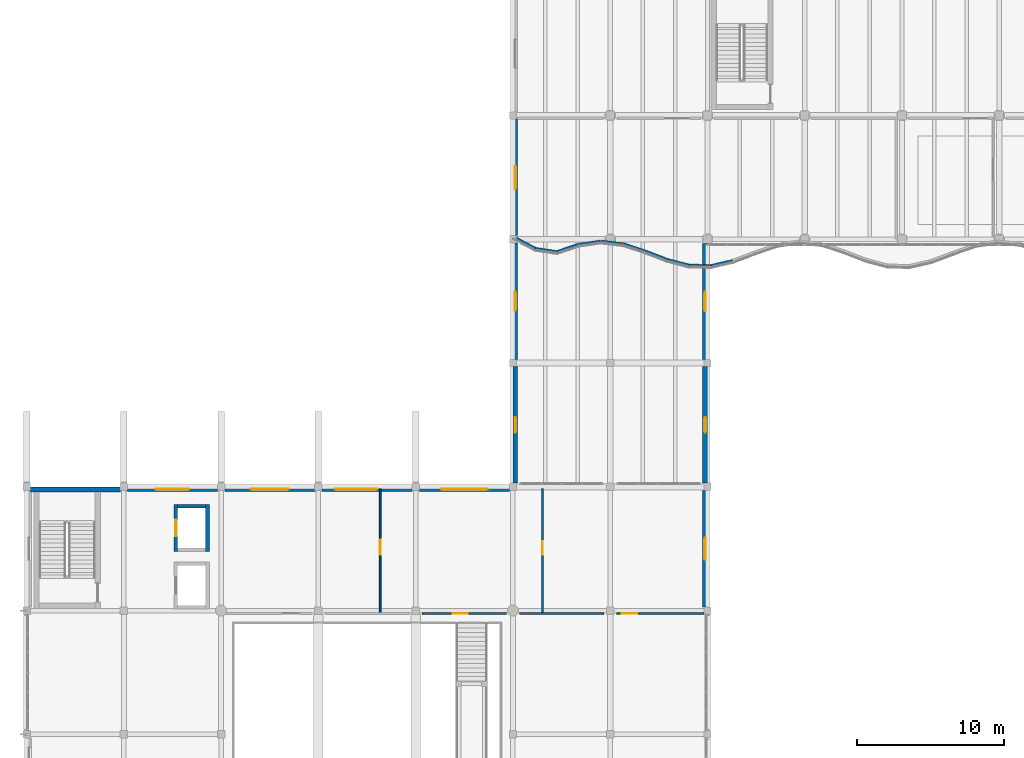
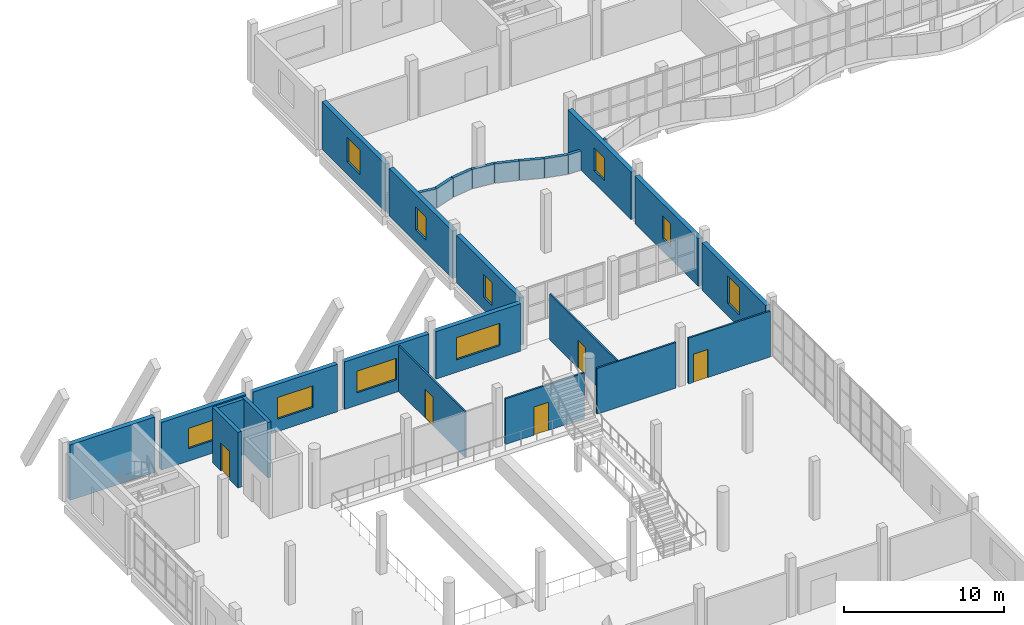
# One storey, part 47 of 76: 29 walls, 10 windows, 5 doors, 15 openings.
"""IFC4 building model written with IfcOpenShell, lengths in metres."""

from ifc_helpers import new_model, si_unit, direction, frame, frame_2d, origin, place, context, subcontext, project, spatial, rectangle, extrude, material, layer, layer_set, type_object, element, fill, save


model = new_model("IFC4")

# Units and contexts
model_context = context("Model", 3, precision=1e-05, world=origin(), true_north=direction((0.0, 1.0)))
body_context = subcontext(model_context, "Body", "Model", "MODEL_VIEW")
ifc_project = project(units=[si_unit("LENGTHUNIT", "METRE"), si_unit("AREAUNIT", "SQUARE_METRE"), si_unit("VOLUMEUNIT", "CUBIC_METRE"), si_unit("PLANEANGLEUNIT", "RADIAN"), si_unit("MASSUNIT", "GRAM", prefix="KILO")], contexts=[model_context])

# Site, building, storey
site_placement = place(None, origin())
site = spatial("IfcSite", under=ifc_project, at=site_placement, CompositionType="ELEMENT")
building_placement = place(site_placement, origin())
building = spatial("IfcBuilding", under=site, at=building_placement, Name="Qaldarim Faculty of Natural and Applied Sciences", CompositionType="ELEMENT")
storey_placement = place(building_placement, frame((0.0, 0.0, 9.89990234375)))
storey = spatial("IfcBuildingStorey", under=building, at=storey_placement, Name="L02", CompositionType="ELEMENT", Elevation=9.89990234375)

# Wall, opening, door
ifc_material_1 = material(Name="Painted gypsum partition board")
ifc_layer_1 = layer(ifc_material_1, 0.1201171875)
ifc_layer_set_1 = layer_set([ifc_layer_1], Name="Painted gypsum partition board")
wall_type_1 = type_object("IfcWallType", Name="AcousticPartition-120", PredefinedType="PARTITIONING", material=ifc_layer_set_1)
wall_1_placement = place(storey_placement, frame((26.85009765625, 75.39990234375, 0.0), z_axis=(0.0, 0.0, 1.0), x_axis=(1.0, 0.0, 0.0)))
wall_1 = element("IfcWall", 1, at=wall_1_placement, inside=storey, type_object=wall_type_1, Name="Interior partition PRT-L02-V2-FACS-S3", PredefinedType="PARTITIONING", context=body_context, shape_type="SweptSolid", body=[
    extrude(rectangle(XDim=5.699951171875, YDim=0.1201171875, at=frame_2d((2.85009765625, 0.0))), origin(), (0.0, 0.0, 1.0), 3.489990234375),
])
opening_1_placement = place(wall_1_placement, frame((2.050048828125, 0.0, 0.0)))
opening_1 = element("IfcOpeningElement", 2, at=opening_1_placement, cuts=wall_1, Name="Opening ID02", PredefinedType="OPENING", context=body_context, shape_type="SweptSolid", body=[
    extrude(rectangle(XDim=1.050048828125, YDim=2.14990234375, at=frame_2d((0.52490234375, 1.074951171875))), frame((0.0, 0.070068359375, 0.0), z_axis=(0.0, -1.0, 0.0), x_axis=(1.0, 0.0, 0.0)), (0.0, 0.0, 1.0), 0.14013671875),
])
ifc_material_2 = material(Name="Oak hardwood", Category="wood")
door_type_1 = type_object("IfcDoorType", Name="AccessibleRoomDoor-1050x2150", OperationType="NOTDEFINED", PredefinedType="DOOR", material=ifc_material_2)
door_1_placement = place(opening_1_placement, origin())
door_1 = element("IfcDoor", 3, at=door_1_placement, inside=storey, type_object=door_type_1, Name="Interior door D-L02-212", OperationType="SINGLE_SWING_RIGHT", OverallHeight=2.14990234375, OverallWidth=1.050048828125, PredefinedType="DOOR", context=body_context, shape_type="SweptSolid", body=[
    extrude(rectangle(XDim=1.050048828125, YDim=2.14990234375, at=frame_2d((0.52490234375, 1.074951171875))), frame((0.0, 0.02490234375, 0.0), z_axis=(0.0, -1.0, 0.0), x_axis=(1.0, 0.0, 0.0)), (0.0, 0.0, 1.0), 0.050048828125),
])
fill(opening_1, door_1)

# Wall
wall_2_placement = place(storey_placement, frame((33.449951171875, 75.39990234375, 0.0), z_axis=(0.0, 0.0, 1.0), x_axis=(1.0, 0.0, 0.0)))
element("IfcWall", 4, at=wall_2_placement, inside=storey, type_object=wall_type_1, Name="Interior partition PRT-L02-V2-FACS-S4", PredefinedType="PARTITIONING", context=body_context, shape_type="SweptSolid", body=[
    extrude(rectangle(XDim=5.699951171875, YDim=0.1201171875, at=frame_2d((2.85009765625, 0.0))), origin(), (0.0, 0.0, 1.0), 3.489990234375),
])

# Wall, opening, door
wall_3_placement = place(storey_placement, frame((40.050048828125, 75.39990234375, 0.0), z_axis=(0.0, 0.0, 1.0), x_axis=(1.0, 0.0, 0.0)))
wall_3 = element("IfcWall", 5, at=wall_3_placement, inside=storey, type_object=wall_type_1, Name="Interior partition PRT-L02-V2-FACS-S5", PredefinedType="PARTITIONING", context=body_context, shape_type="SweptSolid", body=[
    extrude(rectangle(XDim=5.89990234375, YDim=0.1201171875, at=frame_2d((2.949951171875, 0.0))), origin(), (0.0, 0.0, 1.0), 3.489990234375),
])
opening_2_placement = place(wall_3_placement, frame((0.35009765625, 0.0, 0.0)))
opening_2 = element("IfcOpeningElement", 6, at=opening_2_placement, cuts=wall_3, Name="Opening ID02", PredefinedType="OPENING", context=body_context, shape_type="SweptSolid", body=[
    extrude(rectangle(XDim=1.050048828125, YDim=2.14990234375, at=frame_2d((0.52490234375, 1.074951171875))), frame((0.0, 0.070068359375, 0.0), z_axis=(0.0, -1.0, 0.0), x_axis=(1.0, 0.0, 0.0)), (0.0, 0.0, 1.0), 0.14013671875),
])
door_2_placement = place(opening_2_placement, origin())
door_2 = element("IfcDoor", 7, at=door_2_placement, inside=storey, type_object=door_type_1, Name="Interior door D-L02-213", OperationType="SINGLE_SWING_LEFT", OverallHeight=2.14990234375, OverallWidth=1.050048828125, PredefinedType="DOOR", context=body_context, shape_type="SweptSolid", body=[
    extrude(rectangle(XDim=1.050048828125, YDim=2.14990234375, at=frame_2d((0.52490234375, 1.074951171875))), frame((0.0, 0.02490234375, 0.0), z_axis=(0.0, -1.0, 0.0), x_axis=(1.0, 0.0, 0.0)), (0.0, 0.0, 1.0), 0.050048828125),
])
fill(opening_2, door_2)

wall_4_placement = place(storey_placement, frame((24.0, 75.39990234375, 0.0), z_axis=(0.0, 0.0, 1.0), x_axis=(0.0, 1.0, 0.0)))
wall_4 = element("IfcWall", 8, at=wall_4_placement, inside=storey, type_object=wall_type_1, Name="Interior partition PRT-L02-V2-SEMDIV", PredefinedType="PARTITIONING", context=body_context, shape_type="SweptSolid", body=[
    extrude(rectangle(XDim=8.460205078125, YDim=0.1201171875, at=frame_2d((4.22998046875, 0.0))), origin(), (0.0, 0.0, 1.0), 3.489990234375),
])
opening_3_placement = place(wall_4_placement, frame((4.0, 0.0, 0.0)))
opening_3 = element("IfcOpeningElement", 9, at=opening_3_placement, cuts=wall_4, Name="Opening ID08", PredefinedType="OPENING", context=body_context, shape_type="SweptSolid", body=[
    extrude(rectangle(XDim=1.0, YDim=2.199951171875, at=frame_2d((0.5, 1.10009765625))), frame((0.0, 0.070068359375, 0.0), z_axis=(0.0, -1.0, 0.0), x_axis=(1.0, 0.0, 0.0)), (0.0, 0.0, 1.0), 0.14013671875),
])
door_type_2 = type_object("IfcDoorType", Name="SeminarRoomDoor-1000x2200", OperationType="NOTDEFINED", PredefinedType="DOOR", material=ifc_material_2)
door_3_placement = place(opening_3_placement, origin())
door_3 = element("IfcDoor", 10, at=door_3_placement, inside=storey, type_object=door_type_2, Name="Interior door D-L02-382", OperationType="SINGLE_SWING_LEFT", OverallHeight=2.199951171875, OverallWidth=1.0, PredefinedType="DOOR", context=body_context, shape_type="SweptSolid", body=[
    extrude(rectangle(XDim=1.0, YDim=2.199951171875, at=frame_2d((0.5, 1.10009765625))), frame((0.0, 0.02490234375, 0.0), z_axis=(0.0, -1.0, 0.0), x_axis=(1.0, 0.0, 0.0)), (0.0, 0.0, 1.0), 0.050048828125),
])
fill(opening_3, door_3)

wall_5_placement = place(storey_placement, frame((35.0, 75.39990234375, 0.0), z_axis=(0.0, 0.0, 1.0), x_axis=(0.0, 1.0, 0.0)))
wall_5 = element("IfcWall", 11, at=wall_5_placement, inside=storey, type_object=wall_type_1, Name="Interior partition PRT-L02-V2-SEMDIV2", PredefinedType="PARTITIONING", context=body_context, shape_type="SweptSolid", body=[
    extrude(rectangle(XDim=8.460205078125, YDim=0.1201171875, at=frame_2d((4.22998046875, 0.0))), origin(), (0.0, 0.0, 1.0), 3.489990234375),
])
opening_4_placement = place(wall_5_placement, frame((4.0, 0.0, 0.0)))
opening_4 = element("IfcOpeningElement", 12, at=opening_4_placement, cuts=wall_5, Name="Opening ID07", PredefinedType="OPENING", context=body_context, shape_type="SweptSolid", body=[
    extrude(rectangle(XDim=0.89990234375, YDim=2.10009765625, at=frame_2d((0.449951171875, 1.050048828125))), frame((0.0, 0.070068359375, 0.0), z_axis=(0.0, -1.0, 0.0), x_axis=(1.0, 0.0, 0.0)), (0.0, 0.0, 1.0), 0.14013671875),
])
door_type_3 = type_object("IfcDoorType", Name="OfficeStudyDoor-900x2100", OperationType="NOTDEFINED", PredefinedType="DOOR", material=ifc_material_2)
door_4_placement = place(opening_4_placement, origin())
door_4 = element("IfcDoor", 13, at=door_4_placement, inside=storey, type_object=door_type_3, Name="Interior door D-L02-383", OperationType="SINGLE_SWING_LEFT", OverallHeight=2.10009765625, OverallWidth=0.89990234375, PredefinedType="DOOR", context=body_context, shape_type="SweptSolid", body=[
    extrude(rectangle(XDim=0.89990234375, YDim=2.10009765625, at=frame_2d((0.449951171875, 1.050048828125))), frame((0.0, 0.02490234375, 0.0), z_axis=(0.0, -1.0, 0.0), x_axis=(1.0, 0.0, 0.0)), (0.0, 0.0, 1.0), 0.050048828125),
])
fill(opening_4, door_4)

# Wall, opening, window
ifc_material_3 = material(Name="Precast concrete C40/50", Category="concrete")
ifc_layer_2 = layer(ifc_material_3, 0.320068359375)
ifc_layer_set_2 = layer_set([ifc_layer_2], Name="Precast concrete C40/50")
wall_type_2 = type_object("IfcWallType", Name="ExteriorLimestoneWall-320", PredefinedType="SOLIDWALL", material=ifc_layer_set_2)
wall_6_placement = place(storey_placement, frame((12.955078125, 83.840087890625, 0.0), z_axis=(0.0, 0.0, 1.0), x_axis=(-1.0, 0.0, 0.0)))
wall_6 = element("IfcWall", 14, at=wall_6_placement, inside=storey, type_object=wall_type_2, Name="Exterior wall EW01 L02 N X02Y10", PredefinedType="SOLIDWALL", context=body_context, shape_type="SweptSolid", body=[
    extrude(rectangle(XDim=6.110107421875, YDim=0.320068359375, at=frame_2d((3.05517578125, 0.0))), origin(), (0.0, 0.0, 1.0), 3.625),
])
opening_5_placement = place(wall_6_placement, frame((1.929931640625, 0.0, 0.949951171875)))
opening_5 = element("IfcOpeningElement", 15, at=opening_5_placement, cuts=wall_6, Name="Opening WN12", PredefinedType="OPENING", context=body_context, shape_type="SweptSolid", body=[
    extrude(rectangle(XDim=2.25, YDim=1.550048828125, at=frame_2d((1.125, 0.77490234375))), frame((0.0, 0.169921875, 0.0), z_axis=(0.0, -1.0, 0.0), x_axis=(1.0, 0.0, 0.0)), (0.0, 0.0, 1.0), 0.340087890625),
])
ifc_material_4 = material(Name="Insulated low-e double glazing", Category="glass")
window_type_1 = type_object("IfcWindowType", Name="LabWindow-2250x1550", PartitioningType="TRIPLE_PANEL_VERTICAL", PredefinedType="WINDOW", material=ifc_material_4)
window_1_placement = place(opening_5_placement, origin())
window_1 = element("IfcWindow", 16, at=window_1_placement, inside=storey, type_object=window_type_1, Name="Facade window WN12 L02 N X02Y10", OverallHeight=1.550048828125, OverallWidth=2.25, PartitioningType="SINGLE_PANEL", PredefinedType="WINDOW", context=body_context, shape_type="SweptSolid", body=[
    extrude(rectangle(XDim=2.25, YDim=1.550048828125, at=frame_2d((1.125, 0.77490234375))), frame((0.0, 0.030029296875, 0.0), z_axis=(0.0, -1.0, 0.0), x_axis=(1.0, 0.0, 0.0)), (0.0, 0.0, 1.0), 0.06005859375),
])
fill(opening_5, window_1)

wall_7_placement = place(storey_placement, frame((19.554931640625, 83.840087890625, 0.0), z_axis=(0.0, 0.0, 1.0), x_axis=(-1.0, 0.0, 0.0)))
wall_7 = element("IfcWall", 17, at=wall_7_placement, inside=storey, type_object=wall_type_2, Name="Exterior wall EW01 L02 N X03Y10", PredefinedType="SOLIDWALL", context=body_context, shape_type="SweptSolid", body=[
    extrude(rectangle(XDim=6.10986328125, YDim=0.320068359375, at=frame_2d((3.054931640625, 0.0))), origin(), (0.0, 0.0, 1.0), 3.625),
])
opening_6_placement = place(wall_7_placement, frame((1.780029296875, 0.0, 0.949951171875)))
opening_6 = element("IfcOpeningElement", 18, at=opening_6_placement, cuts=wall_7, Name="Opening WN13", PredefinedType="OPENING", context=body_context, shape_type="SweptSolid", body=[
    extrude(rectangle(XDim=2.550048828125, YDim=1.64990234375, at=frame_2d((1.27490234375, 0.824951171875))), frame((0.0, 0.169921875, 0.0), z_axis=(0.0, -1.0, 0.0), x_axis=(1.0, 0.0, 0.0)), (0.0, 0.0, 1.0), 0.340087890625),
])
window_type_2 = type_object("IfcWindowType", Name="LabWindow-2550x1650", PartitioningType="TRIPLE_PANEL_VERTICAL", PredefinedType="WINDOW", material=ifc_material_4)
window_2_placement = place(opening_6_placement, origin())
window_2 = element("IfcWindow", 19, at=window_2_placement, inside=storey, type_object=window_type_2, Name="Facade window WN13 L02 N X03Y10", OverallHeight=1.64990234375, OverallWidth=2.550048828125, PartitioningType="SINGLE_PANEL", PredefinedType="WINDOW", context=body_context, shape_type="SweptSolid", body=[
    extrude(rectangle(XDim=2.550048828125, YDim=1.64990234375, at=frame_2d((1.27490234375, 0.824951171875))), frame((0.0, 0.030029296875, 0.0), z_axis=(0.0, -1.0, 0.0), x_axis=(1.0, 0.0, 0.0)), (0.0, 0.0, 1.0), 0.06005859375),
])
fill(opening_6, window_2)

wall_8_placement = place(storey_placement, frame((26.155029296875, 83.840087890625, 0.0), z_axis=(0.0, 0.0, 1.0), x_axis=(-1.0, 0.0, 0.0)))
wall_8 = element("IfcWall", 20, at=wall_8_placement, inside=storey, type_object=wall_type_2, Name="Exterior wall EW01 L02 N X04Y10", PredefinedType="SOLIDWALL", context=body_context, shape_type="SweptSolid", body=[
    extrude(rectangle(XDim=6.110107421875, YDim=0.320068359375, at=frame_2d((3.05517578125, 0.0))), origin(), (0.0, 0.0, 1.0), 3.625),
])
opening_7_placement = place(wall_8_placement, frame((2.375, 0.0, 0.949951171875)))
opening_7 = element("IfcOpeningElement", 21, at=opening_7_placement, cuts=wall_8, Name="Opening WN14", PredefinedType="OPENING", context=body_context, shape_type="SweptSolid", body=[
    extrude(rectangle(XDim=2.85009765625, YDim=1.64990234375, at=frame_2d((1.425048828125, 0.824951171875))), frame((0.0, 0.169921875, 0.0), z_axis=(0.0, -1.0, 0.0), x_axis=(1.0, 0.0, 0.0)), (0.0, 0.0, 1.0), 0.340087890625),
])
window_type_3 = type_object("IfcWindowType", Name="LabWindow-2850x1650", PartitioningType="TRIPLE_PANEL_VERTICAL", PredefinedType="WINDOW", material=ifc_material_4)
window_3_placement = place(opening_7_placement, origin())
window_3 = element("IfcWindow", 22, at=window_3_placement, inside=storey, type_object=window_type_3, Name="Facade window WN14 L02 N X04Y10", OverallHeight=1.64990234375, OverallWidth=2.85009765625, PartitioningType="SINGLE_PANEL", PredefinedType="WINDOW", context=body_context, shape_type="SweptSolid", body=[
    extrude(rectangle(XDim=2.85009765625, YDim=1.64990234375, at=frame_2d((1.425048828125, 0.824951171875))), frame((0.0, 0.030029296875, 0.0), z_axis=(0.0, -1.0, 0.0), x_axis=(1.0, 0.0, 0.0)), (0.0, 0.0, 1.0), 0.06005859375),
])
fill(opening_7, window_3)

wall_9_placement = place(storey_placement, frame((32.7548828125, 83.840087890625, 0.0), z_axis=(0.0, 0.0, 1.0), x_axis=(-1.0, 0.0, 0.0)))
wall_9 = element("IfcWall", 23, at=wall_9_placement, inside=storey, type_object=wall_type_2, Name="Exterior wall EW01 L02 N X05Y10", PredefinedType="SOLIDWALL", context=body_context, shape_type="SweptSolid", body=[
    extrude(rectangle(XDim=6.10986328125, YDim=0.320068359375, at=frame_2d((3.054931640625, 0.0))), origin(), (0.0, 0.0, 1.0), 3.625),
])
opening_8_placement = place(wall_9_placement, frame((1.47998046875, 0.0, 0.949951171875)))
opening_8 = element("IfcOpeningElement", 24, at=opening_8_placement, cuts=wall_9, Name="Opening WN15", PredefinedType="OPENING", context=body_context, shape_type="SweptSolid", body=[
    extrude(rectangle(XDim=3.14990234375, YDim=1.699951171875, at=frame_2d((1.574951171875, 0.85009765625))), frame((0.0, 0.169921875, 0.0), z_axis=(0.0, -1.0, 0.0), x_axis=(1.0, 0.0, 0.0)), (0.0, 0.0, 1.0), 0.340087890625),
])
window_type_4 = type_object("IfcWindowType", Name="LabWindow-3150x1700", PartitioningType="TRIPLE_PANEL_VERTICAL", PredefinedType="WINDOW", material=ifc_material_4)
window_4_placement = place(opening_8_placement, origin())
window_4 = element("IfcWindow", 25, at=window_4_placement, inside=storey, type_object=window_type_4, Name="Facade window WN15 L02 N X05Y10", OverallHeight=1.699951171875, OverallWidth=3.14990234375, PartitioningType="SINGLE_PANEL", PredefinedType="WINDOW", context=body_context, shape_type="SweptSolid", body=[
    extrude(rectangle(XDim=3.14990234375, YDim=1.699951171875, at=frame_2d((1.574951171875, 0.85009765625))), frame((0.0, 0.030029296875, 0.0), z_axis=(0.0, -1.0, 0.0), x_axis=(1.0, 0.0, 0.0)), (0.0, 0.0, 1.0), 0.06005859375),
])
fill(opening_8, window_4)

wall_10_placement = place(storey_placement, frame((33.159912109375, 92.155029296875, 0.0), z_axis=(0.0, 0.0, 1.0), x_axis=(0.0, -1.0, 0.0)))
wall_10 = element("IfcWall", 26, at=wall_10_placement, inside=storey, type_object=wall_type_2, Name="Exterior wall EW01 L02 W X06Y11", PredefinedType="SOLIDWALL", context=body_context, shape_type="SweptSolid", body=[
    extrude(rectangle(XDim=7.909912109375, YDim=0.320068359375, at=frame_2d((3.955078125, 0.0))), origin(), (0.0, 0.0, 1.0), 3.625),
])
opening_9_placement = place(wall_10_placement, frame((3.429931640625, 0.0, 0.949951171875)))
opening_9 = element("IfcOpeningElement", 27, at=opening_9_placement, cuts=wall_10, Name="Opening WN17", PredefinedType="OPENING", context=body_context, shape_type="SweptSolid", body=[
    extrude(rectangle(XDim=1.050048828125, YDim=1.75, at=frame_2d((0.52490234375, 0.875))), frame((0.0, 0.169921875, 0.0), z_axis=(0.0, -1.0, 0.0), x_axis=(1.0, 0.0, 0.0)), (0.0, 0.0, 1.0), 0.340087890625),
])
window_type_5 = type_object("IfcWindowType", Name="StudyWindow-1050x1750", PartitioningType="SINGLE_PANEL", PredefinedType="WINDOW", material=ifc_material_4)
window_5_placement = place(opening_9_placement, origin())
window_5 = element("IfcWindow", 28, at=window_5_placement, inside=storey, type_object=window_type_5, Name="Facade window WN17 L02 W X06Y11", OverallHeight=1.75, OverallWidth=1.050048828125, PartitioningType="SINGLE_PANEL", PredefinedType="WINDOW", context=body_context, shape_type="SweptSolid", body=[
    extrude(rectangle(XDim=1.050048828125, YDim=1.75, at=frame_2d((0.52490234375, 0.875))), frame((0.0, 0.030029296875, 0.0), z_axis=(0.0, -1.0, 0.0), x_axis=(1.0, 0.0, 0.0)), (0.0, 0.0, 1.0), 0.06005859375),
])
fill(opening_9, window_5)

wall_11_placement = place(storey_placement, frame((33.159912109375, 100.554931640625, 0.0), z_axis=(0.0, 0.0, 1.0), x_axis=(0.0, -1.0, 0.0)))
wall_11 = element("IfcWall", 29, at=wall_11_placement, inside=storey, type_object=wall_type_2, Name="Exterior wall EW01 L02 W X06Y12", PredefinedType="SOLIDWALL", context=body_context, shape_type="SweptSolid", body=[
    extrude(rectangle(XDim=7.909912109375, YDim=0.320068359375, at=frame_2d((3.955078125, 0.0))), origin(), (0.0, 0.0, 1.0), 3.625),
])
opening_10_placement = place(wall_11_placement, frame((3.304931640625, 0.0, 0.949951171875)))
opening_10 = element("IfcOpeningElement", 30, at=opening_10_placement, cuts=wall_11, Name="Opening WN18", PredefinedType="OPENING", context=body_context, shape_type="SweptSolid", body=[
    extrude(rectangle(XDim=1.300048828125, YDim=1.75, at=frame_2d((0.64990234375, 0.875))), frame((0.0, 0.169921875, 0.0), z_axis=(0.0, -1.0, 0.0), x_axis=(1.0, 0.0, 0.0)), (0.0, 0.0, 1.0), 0.340087890625),
])
window_type_6 = type_object("IfcWindowType", Name="StudyWindow-1300x1750", PartitioningType="SINGLE_PANEL", PredefinedType="WINDOW", material=ifc_material_4)
window_6_placement = place(opening_10_placement, origin())
window_6 = element("IfcWindow", 31, at=window_6_placement, inside=storey, type_object=window_type_6, Name="Facade window WN18 L02 W X06Y12", OverallHeight=1.75, OverallWidth=1.300048828125, PartitioningType="SINGLE_PANEL", PredefinedType="WINDOW", context=body_context, shape_type="SweptSolid", body=[
    extrude(rectangle(XDim=1.300048828125, YDim=1.75, at=frame_2d((0.64990234375, 0.875))), frame((0.0, 0.030029296875, 0.0), z_axis=(0.0, -1.0, 0.0), x_axis=(1.0, 0.0, 0.0)), (0.0, 0.0, 1.0), 0.06005859375),
])
fill(opening_10, window_6)

wall_12_placement = place(storey_placement, frame((33.159912109375, 108.955078125, 0.0), z_axis=(0.0, 0.0, 1.0), x_axis=(0.0, -1.0, 0.0)))
wall_12 = element("IfcWall", 32, at=wall_12_placement, inside=storey, type_object=wall_type_2, Name="Exterior wall EW01 L02 W X06Y13", PredefinedType="SOLIDWALL", context=body_context, shape_type="SweptSolid", body=[
    extrude(rectangle(XDim=7.91015625, YDim=0.320068359375, at=frame_2d((3.955078125, 0.0))), origin(), (0.0, 0.0, 1.0), 3.625),
])
opening_11_placement = place(wall_12_placement, frame((3.155029296875, 0.0, 0.949951171875)))
opening_11 = element("IfcOpeningElement", 33, at=opening_11_placement, cuts=wall_12, Name="Opening WN19", PredefinedType="OPENING", context=body_context, shape_type="SweptSolid", body=[
    extrude(rectangle(XDim=1.60009765625, YDim=1.85009765625, at=frame_2d((0.800048828125, 0.925048828125))), frame((0.0, 0.169921875, 0.0), z_axis=(0.0, -1.0, 0.0), x_axis=(1.0, 0.0, 0.0)), (0.0, 0.0, 1.0), 0.340087890625),
])
window_type_7 = type_object("IfcWindowType", Name="StudyWindow-1600x1850", PartitioningType="DOUBLE_PANEL_VERTICAL", PredefinedType="WINDOW", material=ifc_material_4)
window_7_placement = place(opening_11_placement, origin())
window_7 = element("IfcWindow", 34, at=window_7_placement, inside=storey, type_object=window_type_7, Name="Facade window WN19 L02 W X06Y13", OverallHeight=1.85009765625, OverallWidth=1.60009765625, PartitioningType="SINGLE_PANEL", PredefinedType="WINDOW", context=body_context, shape_type="SweptSolid", body=[
    extrude(rectangle(XDim=1.60009765625, YDim=1.85009765625, at=frame_2d((0.800048828125, 0.925048828125))), frame((0.0, 0.030029296875, 0.0), z_axis=(0.0, -1.0, 0.0), x_axis=(1.0, 0.0, 0.0)), (0.0, 0.0, 1.0), 0.06005859375),
])
fill(opening_11, window_7)

wall_13_placement = place(storey_placement, frame((46.0400390625, 75.844970703125, 0.0), z_axis=(0.0, 0.0, 1.0), x_axis=(0.0, 1.0, 0.0)))
wall_13 = element("IfcWall", 35, at=wall_13_placement, inside=storey, type_object=wall_type_2, Name="Exterior wall EW01 L02 E X07Y10", PredefinedType="SOLIDWALL", context=body_context, shape_type="SweptSolid", body=[
    extrude(rectangle(XDim=7.909912109375, YDim=0.320068359375, at=frame_2d((3.955078125, 0.0))), origin(), (0.0, 0.0, 1.0), 3.625),
])
opening_12_placement = place(wall_13_placement, frame((3.205078125, 0.0, 0.949951171875)))
opening_12 = element("IfcOpeningElement", 36, at=opening_12_placement, cuts=wall_13, Name="Opening WN06", PredefinedType="OPENING", context=body_context, shape_type="SweptSolid", body=[
    extrude(rectangle(XDim=1.5, YDim=2.10009765625, at=frame_2d((0.75, 1.050048828125))), frame((0.0, 0.169921875, 0.0), z_axis=(0.0, -1.0, 0.0), x_axis=(1.0, 0.0, 0.0)), (0.0, 0.0, 1.0), 0.340087890625),
])
window_type_8 = type_object("IfcWindowType", Name="Window-1500x2100", PartitioningType="DOUBLE_PANEL_VERTICAL", PredefinedType="WINDOW", material=ifc_material_4)
window_8_placement = place(opening_12_placement, origin())
window_8 = element("IfcWindow", 37, at=window_8_placement, inside=storey, type_object=window_type_8, Name="Facade window WN06 L02 E X07Y10", OverallHeight=2.10009765625, OverallWidth=1.5, PartitioningType="SINGLE_PANEL", PredefinedType="WINDOW", context=body_context, shape_type="SweptSolid", body=[
    extrude(rectangle(XDim=1.5, YDim=2.10009765625, at=frame_2d((0.75, 1.050048828125))), frame((0.0, 0.030029296875, 0.0), z_axis=(0.0, -1.0, 0.0), x_axis=(1.0, 0.0, 0.0)), (0.0, 0.0, 1.0), 0.06005859375),
])
fill(opening_12, window_8)

wall_14_placement = place(storey_placement, frame((46.0400390625, 84.2451171875, 0.0), z_axis=(0.0, 0.0, 1.0), x_axis=(0.0, 1.0, 0.0)))
wall_14 = element("IfcWall", 38, at=wall_14_placement, inside=storey, type_object=wall_type_2, Name="Exterior wall EW01 L02 E X07Y11", PredefinedType="SOLIDWALL", context=body_context, shape_type="SweptSolid", body=[
    extrude(rectangle(XDim=7.909912109375, YDim=0.320068359375, at=frame_2d((3.955078125, 0.0))), origin(), (0.0, 0.0, 1.0), 3.625),
])
opening_13_placement = place(wall_14_placement, frame((3.429931640625, 0.0, 0.949951171875)))
opening_13 = element("IfcOpeningElement", 39, at=opening_13_placement, cuts=wall_14, Name="Opening WN17", PredefinedType="OPENING", context=body_context, shape_type="SweptSolid", body=[
    extrude(rectangle(XDim=1.050048828125, YDim=1.75, at=frame_2d((0.52490234375, 0.875))), frame((0.0, 0.169921875, 0.0), z_axis=(0.0, -1.0, 0.0), x_axis=(1.0, 0.0, 0.0)), (0.0, 0.0, 1.0), 0.340087890625),
])
window_9_placement = place(opening_13_placement, origin())
window_9 = element("IfcWindow", 40, at=window_9_placement, inside=storey, type_object=window_type_5, Name="Facade window WN17 L02 E X07Y11", OverallHeight=1.75, OverallWidth=1.050048828125, PartitioningType="SINGLE_PANEL", PredefinedType="WINDOW", context=body_context, shape_type="SweptSolid", body=[
    extrude(rectangle(XDim=1.050048828125, YDim=1.75, at=frame_2d((0.52490234375, 0.875))), frame((0.0, 0.030029296875, 0.0), z_axis=(0.0, -1.0, 0.0), x_axis=(1.0, 0.0, 0.0)), (0.0, 0.0, 1.0), 0.06005859375),
])
fill(opening_13, window_9)

wall_15_placement = place(storey_placement, frame((46.0400390625, 92.64501953125, 0.0), z_axis=(0.0, 0.0, 1.0), x_axis=(0.0, 1.0, 0.0)))
wall_15 = element("IfcWall", 41, at=wall_15_placement, inside=storey, type_object=wall_type_2, Name="Exterior wall EW01 L02 E X07Y12", PredefinedType="SOLIDWALL", context=body_context, shape_type="SweptSolid", body=[
    extrude(rectangle(XDim=7.85986328125, YDim=0.320068359375, at=frame_2d((3.929931640625, 0.0))), origin(), (0.0, 0.0, 1.0), 3.625),
])
opening_14_placement = place(wall_15_placement, frame((3.280029296875, 0.0, 0.949951171875)))
opening_14 = element("IfcOpeningElement", 42, at=opening_14_placement, cuts=wall_15, Name="Opening WN18", PredefinedType="OPENING", context=body_context, shape_type="SweptSolid", body=[
    extrude(rectangle(XDim=1.300048828125, YDim=1.75, at=frame_2d((0.64990234375, 0.875))), frame((0.0, 0.169921875, 0.0), z_axis=(0.0, -1.0, 0.0), x_axis=(1.0, 0.0, 0.0)), (0.0, 0.0, 1.0), 0.340087890625),
])
window_10_placement = place(opening_14_placement, origin())
window_10 = element("IfcWindow", 43, at=window_10_placement, inside=storey, type_object=window_type_6, Name="Facade window WN18 L02 E X07Y12", OverallHeight=1.75, OverallWidth=1.300048828125, PartitioningType="SINGLE_PANEL", PredefinedType="WINDOW", context=body_context, shape_type="SweptSolid", body=[
    extrude(rectangle(XDim=1.300048828125, YDim=1.75, at=frame_2d((0.64990234375, 0.875))), frame((0.0, 0.030029296875, 0.0), z_axis=(0.0, -1.0, 0.0), x_axis=(1.0, 0.0, 0.0)), (0.0, 0.0, 1.0), 0.06005859375),
])
fill(opening_14, window_10)

# Wall
ifc_material_5 = material(Name="Concrete C50/60", Category="concrete")
ifc_layer_3 = layer(ifc_material_5, 0.340087890625)
ifc_layer_set_3 = layer_set([ifc_layer_3], Name="Concrete C50/60")
wall_type_3 = type_object("IfcWallType", Name="ExteriorStairShearWall-340", PredefinedType="SHEAR", material=ifc_layer_set_3)
wall_16_placement = place(storey_placement, frame((6.35498046875, 83.830078125, 0.0), z_axis=(0.0, 0.0, 1.0), x_axis=(-1.0, 0.0, 0.0)))
element("IfcWall", 44, at=wall_16_placement, inside=storey, type_object=wall_type_3, Name="Exterior wall EW05 L02 N X01Y10", PredefinedType="SHEAR", context=body_context, shape_type="SweptSolid", body=[
    extrude(rectangle(XDim=6.10986328125, YDim=0.340087890625, at=frame_2d((3.054931640625, 0.0))), origin(), (0.0, 0.0, 1.0), 4.239990234375),
])

# Wall, opening, door
ifc_material_6 = material(Name="Concrete C40/50", Category="concrete")
ifc_layer_4 = layer(ifc_material_6, 0.25)
ifc_layer_set_4 = layer_set([ifc_layer_4], Name="Concrete C40/50")
wall_type_4 = type_object("IfcWallType", Name="LiftShaftWall-250", PredefinedType="SHEAR", material=ifc_layer_set_4)
wall_17_placement = place(storey_placement, frame((10.125, 79.60009765625, 0.0), z_axis=(0.0, 0.0, 1.0), x_axis=(0.0, 1.0, 0.0)))
wall_17 = element("IfcWall", 45, at=wall_17_placement, inside=storey, type_object=wall_type_4, Name="Lift LF-D2 front shaft wall L02", PredefinedType="SHEAR", context=body_context, shape_type="SweptSolid", body=[
    extrude(rectangle(XDim=3.199951171875, YDim=0.25, at=frame_2d((1.60009765625, 0.0))), origin(), (0.0, 0.0, 1.0), 4.239990234375),
])
opening_15_placement = place(wall_17_placement, frame((1.050048828125, 0.0, 0.0)))
opening_15 = element("IfcOpeningElement", 46, at=opening_15_placement, cuts=wall_17, Name="Opening LD01", PredefinedType="OPENING", context=body_context, shape_type="SweptSolid", body=[
    extrude(rectangle(XDim=1.10009765625, YDim=2.14990234375, at=frame_2d((0.550048828125, 1.074951171875))), frame((0.0, 0.135009765625, 0.0), z_axis=(0.0, -1.0, 0.0), x_axis=(1.0, 0.0, 0.0)), (0.0, 0.0, 1.0), 0.27001953125),
])
ifc_material_7 = material(Name="Architectural stainless steel 316", Category="steel")
door_type_4 = type_object("IfcDoorType", Name="LiftLandingSlidingDoor-1100x2150", OperationType="NOTDEFINED", PredefinedType="DOOR", material=ifc_material_7)
door_5_placement = place(opening_15_placement, origin())
door_5 = element("IfcDoor", 47, at=door_5_placement, inside=storey, type_object=door_type_4, Name="Lift landing sliding door LF-D2 D-L02-670", OperationType="SLIDING_TO_LEFT", OverallHeight=2.14990234375, OverallWidth=1.10009765625, PredefinedType="DOOR", context=body_context, shape_type="SweptSolid", body=[
    extrude(rectangle(XDim=1.10009765625, YDim=2.14990234375, at=frame_2d((0.550048828125, 1.074951171875))), frame((0.0, 0.02490234375, 0.0), z_axis=(0.0, -1.0, 0.0), x_axis=(1.0, 0.0, 0.0)), (0.0, 0.0, 1.0), 0.050048828125),
])
fill(opening_15, door_5)

# Walls
wall_18_placement = place(storey_placement, frame((12.27490234375, 79.60009765625, 0.0), z_axis=(0.0, 0.0, 1.0), x_axis=(0.0, 1.0, 0.0)))
element("IfcWall", 48, at=wall_18_placement, inside=storey, type_object=wall_type_4, Name="Lift LF-D2 rear shaft wall L02", PredefinedType="SHEAR", context=body_context, shape_type="SweptSolid", body=[
    extrude(rectangle(XDim=3.199951171875, YDim=0.25, at=frame_2d((1.60009765625, 0.0))), origin(), (0.0, 0.0, 1.0), 4.239990234375),
])
wall_19_placement = place(storey_placement, frame((10.25, 82.675048828125, 0.0), z_axis=(0.0, 0.0, 1.0), x_axis=(1.0, 0.0, 0.0)))
element("IfcWall", 49, at=wall_19_placement, inside=storey, type_object=wall_type_4, Name="Lift LF-D2 north shaft wall L02", PredefinedType="SHEAR", context=body_context, shape_type="SweptSolid", body=[
    extrude(rectangle(XDim=1.89990234375, YDim=0.25, at=frame_2d((0.949951171875, 0.0))), origin(), (0.0, 0.0, 1.0), 4.239990234375),
])
ifc_material_8 = material(Name="White architectural precast concrete C40/50", Category="concrete")
ifc_layer_5 = layer(ifc_material_8, 0.219970703125)
ifc_layer_set_5 = layer_set([ifc_layer_5], Name="White architectural precast concrete C40/50")
wall_type_5 = type_object("IfcWallType", Name="WhitePrecastWaveBand-220", PredefinedType="SOLIDWALL", material=ifc_layer_set_5)
wall_20_placement = place(storey_placement, frame((33.06494140625, 100.925048828125, 0.0), z_axis=(0.0, 0.0, 1.0), x_axis=(0.882899095401, -0.469562761875, 0.0)))
element("IfcWall", 50, at=wall_20_placement, inside=storey, type_object=wall_type_5, Name="White precast wave spandrel band L02 chord 01", PredefinedType="SOLIDWALL", context=body_context, shape_type="SweptSolid", body=[
    extrude(rectangle(XDim=1.693359375, YDim=0.219970703125, at=frame_2d((0.8466796875, 0.0))), origin(), (0.0, 0.0, 1.0), 1.4501953125),
])
wall_21_placement = place(storey_placement, frame((34.514892578125, 100.14501953125, 0.0), z_axis=(0.0, 0.0, 1.0), x_axis=(0.988855668417, -0.148877355696, 0.0)))
element("IfcWall", 51, at=wall_21_placement, inside=storey, type_object=wall_type_5, Name="White precast wave spandrel band L02 chord 02", PredefinedType="SOLIDWALL", context=body_context, shape_type="SweptSolid", body=[
    extrude(rectangle(XDim=1.511962890625, YDim=0.219970703125, at=frame_2d((0.755859375, 0.0))), origin(), (0.0, 0.0, 1.0), 1.4501953125),
])
wall_22_placement = place(storey_placement, frame((35.945068359375, 99.9150390625, 0.0), z_axis=(0.0, 0.0, 1.0), x_axis=(0.947422519731, 0.319985263891, 0.0)))
element("IfcWall", 52, at=wall_22_placement, inside=storey, type_object=wall_type_5, Name="White precast wave spandrel band L02 chord 03", PredefinedType="SOLIDWALL", context=body_context, shape_type="SweptSolid", body=[
    extrude(rectangle(XDim=1.577880859375, YDim=0.219970703125, at=frame_2d((0.7890625, 0.0))), origin(), (0.0, 0.0, 1.0), 1.4501953125),
])
wall_23_placement = place(storey_placement, frame((37.465087890625, 100.425048828125, 0.0), z_axis=(0.0, 0.0, 1.0), x_axis=(0.989763766402, 0.142715404626, 0.0)))
element("IfcWall", 53, at=wall_23_placement, inside=storey, type_object=wall_type_5, Name="White precast wave spandrel band L02 chord 04", PredefinedType="SOLIDWALL", context=body_context, shape_type="SweptSolid", body=[
    extrude(rectangle(XDim=1.50537109375, YDim=0.219970703125, at=frame_2d((0.752685546875, 0.0))), origin(), (0.0, 0.0, 1.0), 1.4501953125),
])
wall_24_placement = place(storey_placement, frame((38.989990234375, 100.639892578125, 0.0), z_axis=(0.0, 0.0, 1.0), x_axis=(0.992836122278, -0.119484033658, 0.0)))
element("IfcWall", 54, at=wall_24_placement, inside=storey, type_object=wall_type_5, Name="White precast wave spandrel band L02 chord 05", PredefinedType="SOLIDWALL", context=body_context, shape_type="SweptSolid", body=[
    extrude(rectangle(XDim=1.505859375, YDim=0.219970703125, at=frame_2d((0.7529296875, 0.0))), origin(), (0.0, 0.0, 1.0), 1.4501953125),
])
wall_25_placement = place(storey_placement, frame((40.514892578125, 100.455078125, 0.0), z_axis=(0.0, 0.0, 1.0), x_axis=(0.949301527617, -0.314366998368, 0.0)))
element("IfcWall", 55, at=wall_25_placement, inside=storey, type_object=wall_type_5, Name="White precast wave spandrel band L02 chord 06", PredefinedType="SOLIDWALL", context=body_context, shape_type="SweptSolid", body=[
    extrude(rectangle(XDim=1.574951171875, YDim=0.219970703125, at=frame_2d((0.78759765625, 0.0))), origin(), (0.0, 0.0, 1.0), 1.4501953125),
])
wall_26_placement = place(storey_placement, frame((42.014892578125, 99.955078125, 0.0), z_axis=(0.0, 0.0, 1.0), x_axis=(0.934383761217, -0.35626813887, 0.0)))
element("IfcWall", 56, at=wall_26_placement, inside=storey, type_object=wall_type_5, Name="White precast wave spandrel band L02 chord 07", PredefinedType="SOLIDWALL", context=body_context, shape_type="SweptSolid", body=[
    extrude(rectangle(XDim=1.60009765625, YDim=0.219970703125, at=frame_2d((0.800048828125, 0.0))), origin(), (0.0, 0.0, 1.0), 1.4501953125),
])
wall_27_placement = place(storey_placement, frame((43.4951171875, 99.389892578125, 0.0), z_axis=(0.0, 0.0, 1.0), x_axis=(0.967629018849, -0.252376864789, 0.0)))
element("IfcWall", 57, at=wall_27_placement, inside=storey, type_object=wall_type_5, Name="White precast wave spandrel band L02 chord 08", PredefinedType="SOLIDWALL", context=body_context, shape_type="SweptSolid", body=[
    extrude(rectangle(XDim=1.544921875, YDim=0.219970703125, at=frame_2d((0.7724609375, 0.0))), origin(), (0.0, 0.0, 1.0), 1.4501953125),
])
wall_28_placement = place(storey_placement, frame((44.955078125, 99.0048828125, 0.0), z_axis=(0.0, 0.0, 1.0), x_axis=(0.999861276048, -0.016656189802, 0.0)))
element("IfcWall", 58, at=wall_28_placement, inside=storey, type_object=wall_type_5, Name="White precast wave spandrel band L02 chord 09", PredefinedType="SOLIDWALL", context=body_context, shape_type="SweptSolid", body=[
    extrude(rectangle(XDim=1.4951171875, YDim=0.219970703125, at=frame_2d((0.74755859375, 0.0))), origin(), (0.0, 0.0, 1.0), 1.4501953125),
])
wall_29_placement = place(storey_placement, frame((46.419921875, 98.97509765625, 0.0), z_axis=(0.0, 0.0, 1.0), x_axis=(0.973697936092, 0.227842773093, 0.0)))
element("IfcWall", 59, at=wall_29_placement, inside=storey, type_object=wall_type_5, Name="White precast wave spandrel band L02 chord 10", PredefinedType="SOLIDWALL", context=body_context, shape_type="SweptSolid", body=[
    extrude(rectangle(XDim=1.535400390625, YDim=0.219970703125, at=frame_2d((0.767578125, 0.0))), origin(), (0.0, 0.0, 1.0), 1.4501953125),
])

save(model, "model.ifc")
